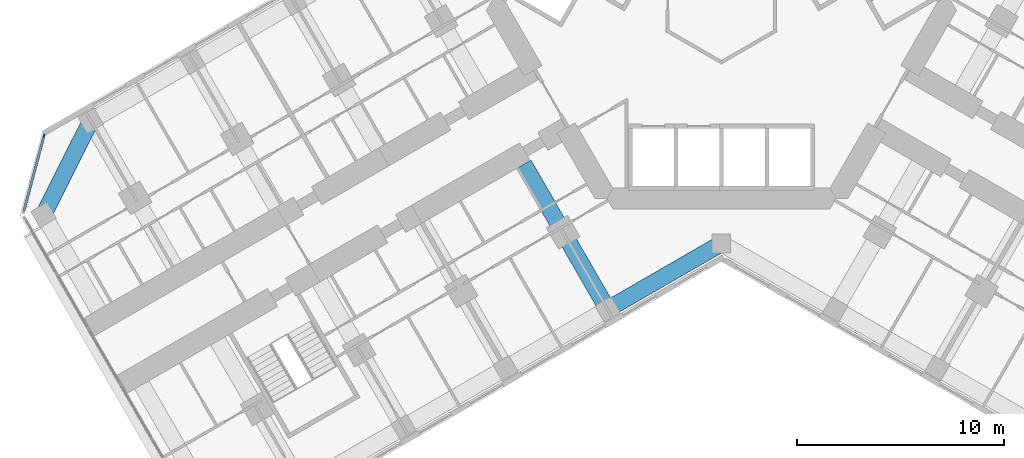
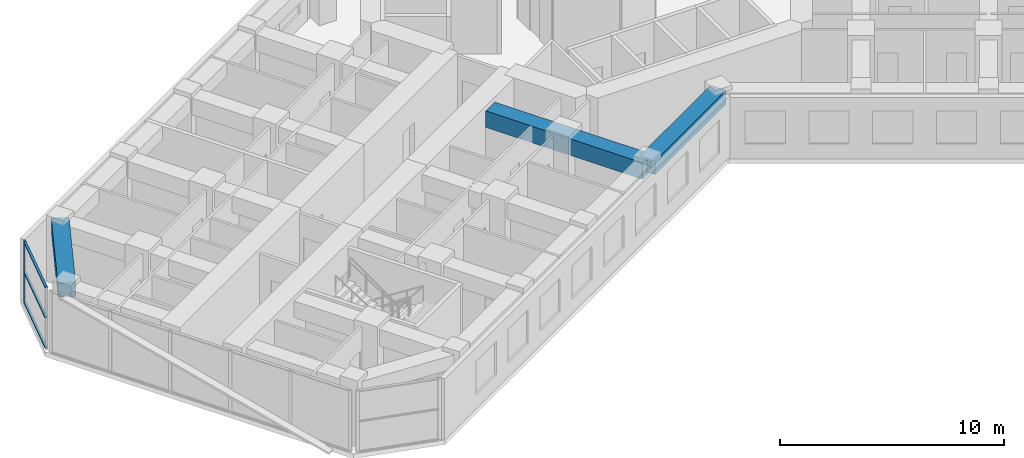
# One storey, part 3 of 22: 4 members, 3 beams, 1 element without a shape of its own.
"""IFC4 building model written with IfcOpenShell, lengths in metres."""

from ifc_helpers import new_model, si_unit, direction, frame, origin, origin_2d, place, context, subcontext, project, spatial, rectangle, extrude, material, material_profile, profile_set, type_object, element, aggregate, save


model = new_model("IFC4")

# Units and contexts
model_context = context("Model", 3, precision=1e-05, world=origin(), true_north=direction((0.0, 1.0)))
body_context = subcontext(model_context, "Body", "Model", "MODEL_VIEW")
ifc_project = project(units=[si_unit("LENGTHUNIT", "METRE"), si_unit("AREAUNIT", "SQUARE_METRE"), si_unit("VOLUMEUNIT", "CUBIC_METRE"), si_unit("PLANEANGLEUNIT", "RADIAN"), si_unit("MASSUNIT", "GRAM", prefix="KILO")], contexts=[model_context])

# Site, building, storey
site_placement = place(None, origin())
site = spatial("IfcSite", under=ifc_project, at=site_placement, CompositionType="ELEMENT")
building_placement = place(site_placement, origin())
building = spatial("IfcBuilding", under=site, at=building_placement, Name="Kosmar Iwan School Tower", CompositionType="ELEMENT")
storey_placement = place(building_placement, frame((0.0, 0.0, 95.199951171875)))
storey = spatial("IfcBuildingStorey", under=building, at=storey_placement, Name="L23", CompositionType="ELEMENT", Elevation=95.199951171875)

# Curtain wall, member
ifc_material_1 = material(Name="Dark glass in black aluminium frame", Category="aluminium")
curtain_wall_type = type_object("IfcCurtainWallType", Name="Chamfer curtain wall dark glass", PredefinedType="USERDEFINED", material=ifc_material_1)
curtain_wall_placement = place(storey_placement, origin())
curtain_wall = element("IfcCurtainWall", 1, at=curtain_wall_placement, inside=storey, type_object=curtain_wall_type, Name="Curtain wall L23-F12", ObjectType="FACETED CURTAIN WALL", PredefinedType="USERDEFINED")
ifc_material_2 = material(Name="Black anodised aluminium", Category="aluminium")
ifc_material_profile_1 = material_profile(ifc_material_2, rectangle(XDim=0.06005859375, YDim=0.159912109375, at=origin_2d()), Name="MULLION 60x160")
ifc_profile_set_1 = profile_set([ifc_material_profile_1], Name="Black anodised aluminium")
member_type_1 = type_object("IfcMemberType", Name="Mullion 60x160", PredefinedType="MULLION", material=ifc_profile_set_1)
member_1_placement = place(storey_placement, frame((-32.78076171875, -6.5732421875, 0.0), z_axis=(0.0, 0.0, 1.0), x_axis=(0.965925875495, -0.258818861462, 0.0)))
member_1 = element("IfcMember", 2, at=member_1_placement, type_object=member_type_1, Name="CW2 mullion 1", PredefinedType="MULLION", context=body_context, shape_type="SweptSolid", body=[
    extrude(rectangle(XDim=0.06005859375, YDim=0.159912109375, at=origin_2d()), origin(), (0.0, 0.0, 1.0), 3.35009765625),
])

# Beams
ifc_material_3 = material(Name="Concrete C50/60", Category="concrete")
ifc_material_profile_2 = material_profile(ifc_material_3, rectangle(XDim=0.800048828125, YDim=0.75, at=origin_2d()), Name="RC 800x750")
ifc_profile_set_2 = profile_set([ifc_material_profile_2], Name="Concrete C50/60")
beam_type_1 = type_object("IfcBeamType", Name="RC edge beam 800x750", PredefinedType="BEAM", material=ifc_profile_set_2)
beam_1_placement = place(storey_placement, frame((0.0, -11.77783203125, 2.97509765625), z_axis=(-0.866014293216, -0.500019243575, 0.0), x_axis=(0.500019243575, -0.866014293216, 0.0)))
element("IfcBeam", 3, at=beam_1_placement, inside=storey, type_object=beam_type_1, Name="Edge beam BL1", PredefinedType="BEAM", context=body_context, shape_type="SweptSolid", body=[
    extrude(rectangle(XDim=0.800048828125, YDim=0.75, at=origin_2d()), origin(), (0.0, 0.0, 1.0), 6.361083984375),
])
ifc_material_4 = material(Name="Concrete C50/60", Category="concrete")
ifc_material_profile_3 = material_profile(ifc_material_4, rectangle(XDim=0.800048828125, YDim=0.75, at=origin_2d()), Name="RC 800x750")
ifc_profile_set_3 = profile_set([ifc_material_profile_3], Name="Concrete C50/60")
beam_type_2 = type_object("IfcBeamType", Name="RC tip beam 800x750", PredefinedType="BEAM", material=ifc_profile_set_3)
beam_2_placement = place(storey_placement, frame((-30.517822265625, -5.841552734375, 2.97509765625), z_axis=(-0.44809604203, -0.893985423325, 0.0), x_axis=(0.893985423325, -0.44809604203, 0.0)))
element("IfcBeam", 4, at=beam_2_placement, inside=storey, type_object=beam_type_2, Name="Tip beam BR", PredefinedType="BEAM", context=body_context, shape_type="SweptSolid", body=[
    extrude(rectangle(XDim=0.800048828125, YDim=0.75, at=origin_2d()), origin(), (0.0, 0.0, 1.0), 5.08935546875),
])
ifc_material_5 = material(Name="Concrete C50/60", Category="concrete")
ifc_material_profile_4 = material_profile(ifc_material_5, rectangle(XDim=0.800048828125, YDim=0.89990234375, at=origin_2d()), Name="RC 800x900")
ifc_profile_set_4 = profile_set([ifc_material_profile_4], Name="Concrete C50/60")
beam_type_3 = type_object("IfcBeamType", Name="RC transverse beam 800x900", PredefinedType="BEAM", material=ifc_profile_set_4)
beam_3_placement = place(storey_placement, frame((-5.5087890625, -14.95849609375, 2.900146484375), z_axis=(-0.499999880539, 0.866025472755, 0.0), x_axis=(-0.866025472755, -0.499999880539, 0.0)))
element("IfcBeam", 5, at=beam_3_placement, inside=storey, type_object=beam_type_3, Name="Transverse beam BL1", PredefinedType="BEAM", context=body_context, shape_type="SweptSolid", body=[
    extrude(rectangle(XDim=0.800048828125, YDim=0.89990234375, at=origin_2d()), origin(), (0.0, 0.0, 1.0), 8.10009765625),
])

# Member
ifc_material_6 = material(Name="Black anodised aluminium", Category="aluminium")
ifc_material_profile_5 = material_profile(ifc_material_6, rectangle(XDim=0.1201171875, YDim=0.06005859375, at=origin_2d()), Name="TRANSOM 60x120")
ifc_profile_set_5 = profile_set([ifc_material_profile_5], Name="Black anodised aluminium")
member_type_2 = type_object("IfcMemberType", Name="Transom 60x120", PredefinedType="USERDEFINED", material=ifc_profile_set_5)
member_2_placement = place(storey_placement, frame((-32.788330078125, -6.602294921875, 0.030029296875), z_axis=(-0.258843273983, -0.965919333854, 0.0), x_axis=(0.965919333854, -0.258843273983, 0.0)))
member_2 = element("IfcMember", 6, at=member_2_placement, type_object=member_type_2, Name="CW2 transom 1.1", ObjectType="TRANSOM", PredefinedType="USERDEFINED", context=body_context, shape_type="SweptSolid", body=[
    extrude(rectangle(XDim=0.1201171875, YDim=0.06005859375, at=origin_2d()), origin(), (0.0, 0.0, 1.0), 3.718994140625),
])

member_3_placement = place(storey_placement, frame((-32.788330078125, -6.602294921875, 1.675048828125), z_axis=(-0.258843273983, -0.965919333854, 0.0), x_axis=(0.965919333854, -0.258843273983, 0.0)))
member_3 = element("IfcMember", 7, at=member_3_placement, type_object=member_type_2, Name="CW2 transom 1.2", ObjectType="TRANSOM", PredefinedType="USERDEFINED", context=body_context, shape_type="SweptSolid", body=[
    extrude(rectangle(XDim=0.1201171875, YDim=0.06005859375, at=origin_2d()), origin(), (0.0, 0.0, 1.0), 3.718994140625),
])

member_4_placement = place(storey_placement, frame((-32.788330078125, -6.602294921875, 3.320068359375), z_axis=(-0.258843273983, -0.965919333854, 0.0), x_axis=(0.965919333854, -0.258843273983, 0.0)))
member_4 = element("IfcMember", 8, at=member_4_placement, type_object=member_type_2, Name="CW2 transom 1.3", ObjectType="TRANSOM", PredefinedType="USERDEFINED", context=body_context, shape_type="SweptSolid", body=[
    extrude(rectangle(XDim=0.1201171875, YDim=0.06005859375, at=origin_2d()), origin(), (0.0, 0.0, 1.0), 3.718994140625),
])

aggregate(curtain_wall, [member_1, member_2, member_3, member_4])

save(model, "model.ifc")
